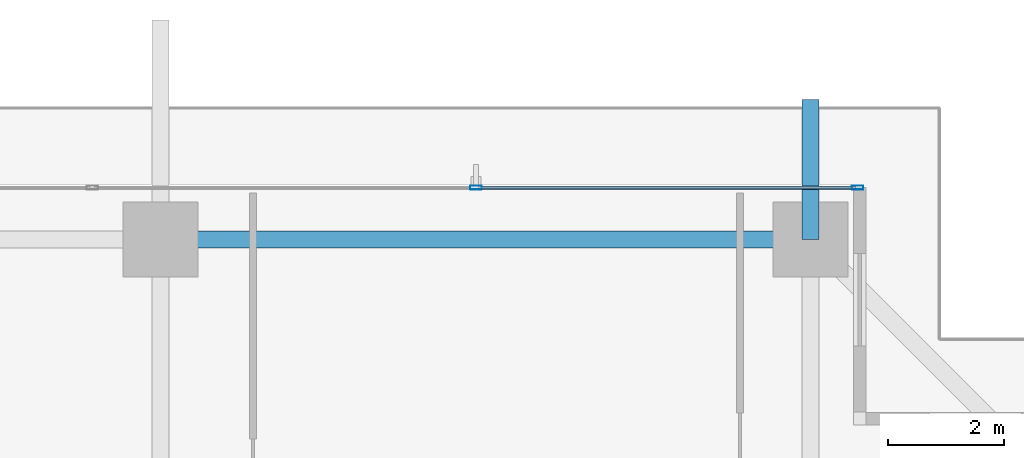
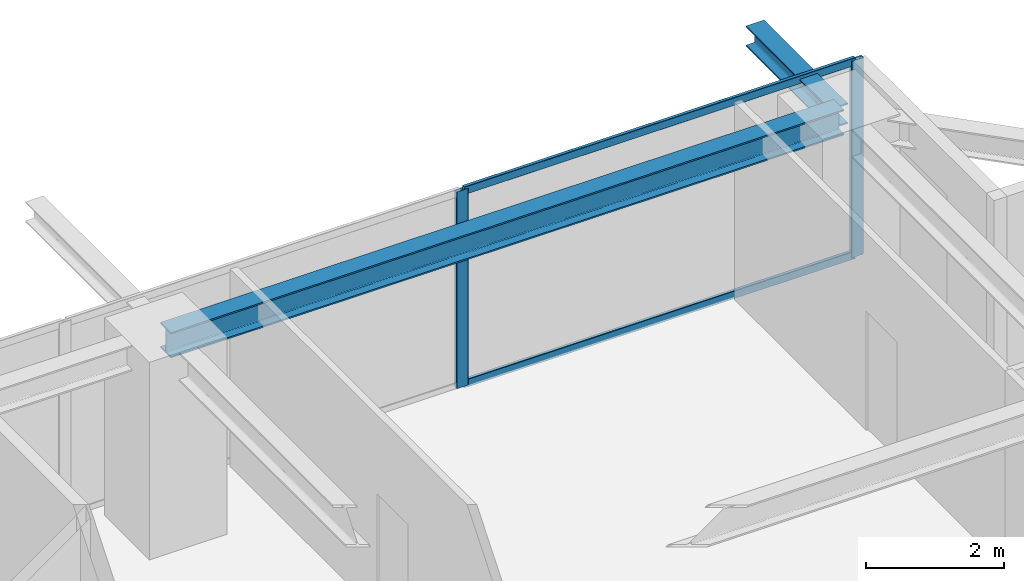
# One storey, part 24 of 36: 4 members, 2 beams, 1 element without a shape of its own.
"""IFC4 building model written with IfcOpenShell, lengths in metres."""

from ifc_helpers import new_model, si_unit, direction, frame, origin, origin_2d, place, context, subcontext, project, spatial, hollow_rectangle, i_section, extrude, source, transform, mapped, material, layer, layer_set, material_profile, profile_set, type_object, element, aggregate, save


model = new_model("IFC4")

# Units and contexts
model_context = context("Model", 3, precision=1e-05, world=origin(), true_north=direction((0.0, 1.0)))
body_context = subcontext(model_context, "Body", "Model", "MODEL_VIEW")
ifc_project = project(units=[si_unit("LENGTHUNIT", "METRE"), si_unit("AREAUNIT", "SQUARE_METRE"), si_unit("VOLUMEUNIT", "CUBIC_METRE"), si_unit("PLANEANGLEUNIT", "RADIAN"), si_unit("MASSUNIT", "GRAM", prefix="KILO")], contexts=[model_context])

# Site, building, storey
site_placement = place(None, origin())
site = spatial("IfcSite", under=ifc_project, at=site_placement, CompositionType="ELEMENT")
building_placement = place(site_placement, origin())
building = spatial("IfcBuilding", under=site, at=building_placement, Name="Serunith Strait Residences", CompositionType="ELEMENT")
storey_placement = place(building_placement, frame((0.0, 0.0, 146.39990234375)))
storey = spatial("IfcBuildingStorey", under=building, at=storey_placement, Name="L36", CompositionType="ELEMENT", Elevation=146.39990234375)

# Beams
ifc_material_1 = material(Name="Steel S355J2", Category="steel")
ifc_material_profile_1 = material_profile(ifc_material_1, i_section(OverallWidth=0.300048828125, OverallDepth=0.449951171875, WebThickness=0.013916015625, FlangeThickness=0.02587890625, FilletRadius=0.027099609375, at=origin_2d()), Name="HEB 450")
ifc_profile_set_1 = profile_set([ifc_material_profile_1], Name="Steel S355J2")
beam_type_1 = type_object("IfcBeamType", Name="BM-HEB450", PredefinedType="BEAM", material=ifc_profile_set_1)
shared_shape_1 = source(origin(), body_context, "Body", "SweptSolid", [
    extrude(i_section(OverallWidth=0.300048828125, OverallDepth=0.449951171875, WebThickness=0.013916015625, FlangeThickness=0.02587890625, FilletRadius=0.027099609375, at=origin_2d()), origin(), (0.0, 0.0, 1.0), 11.25),
])
beam_1_placement = place(storey_placement, frame((48.14990234375, 48.10009765625, 3.26220703125), z_axis=(-1.0, 0.0, 0.0), x_axis=(0.0, -1.0, 0.0)))
element("IfcBeam", 1, at=beam_1_placement, inside=storey, type_object=beam_type_1, Name="L36 Perimeter Ring Beam 09", PredefinedType="BEAM", context=body_context, shape_type="MappedRepresentation", body=[
    mapped(shared_shape_1, transform((0.0, 0.0, 0.0), scale=1.0)),
])
ifc_material_profile_2 = material_profile(ifc_material_1, i_section(OverallWidth=0.300048828125, OverallDepth=0.360107421875, WebThickness=0.012451171875, FlangeThickness=0.0224609375, FilletRadius=0.027099609375, at=origin_2d()), Name="HEB 360")
ifc_profile_set_2 = profile_set([ifc_material_profile_2], Name="Steel S355J2")
beam_type_2 = type_object("IfcBeamType", Name="BM-HEB360", PredefinedType="BEAM", material=ifc_profile_set_2)
shared_shape_2 = source(origin(), body_context, "Body", "SweptSolid", [
    extrude(i_section(OverallWidth=0.300048828125, OverallDepth=0.360107421875, WebThickness=0.012451171875, FlangeThickness=0.0224609375, FilletRadius=0.027099609375, at=origin_2d()), origin(), (0.0, 0.0, 1.0), 2.425537109375),
])
beam_2_placement = place(storey_placement, frame((48.14990234375, 48.10009765625, 3.277099609375), z_axis=(0.0, 1.0, 0.0), x_axis=(-1.0, 0.0, 0.0)))
element("IfcBeam", 2, at=beam_2_placement, inside=storey, type_object=beam_type_2, Name="L37 Cantilevered Balcony Rib TC-N4", PredefinedType="BEAM", context=body_context, shape_type="MappedRepresentation", body=[
    mapped(shared_shape_2, transform((0.0, 0.0, 0.0), scale=1.0)),
])

# Curtain wall, members
ifc_material_2 = material(Name="Pale-Champagne Anodised Aluminium", Category="aluminium")
ifc_layer = layer(ifc_material_2, 0.199951171875, Name="Pale-Champagne Anodised Aluminium")
ifc_layer_set = layer_set([ifc_layer], Name="Pale-Champagne Anodised Aluminium")
curtain_wall_type = type_object("IfcCurtainWallType", Name="CW-SYS2", PredefinedType="NOTDEFINED", material=ifc_layer_set)
curtain_wall_placement = place(storey_placement, origin())
curtain_wall = element("IfcCurtainWall", 3, at=curtain_wall_placement, inside=storey, type_object=curtain_wall_type, Name="L36 N Unitised Fritted Curtain Wall", PredefinedType="NOTDEFINED")
ifc_material_profile_3 = material_profile(ifc_material_2, hollow_rectangle(XDim=0.070068359375, YDim=0.199951171875, WallThickness=0.00390625, InnerFilletRadius=0.006103515625, OuterFilletRadius=0.010009765625, at=origin_2d()), Name="ALU 200x70x4")
ifc_profile_set_3 = profile_set([ifc_material_profile_3], Name="Pale-Champagne Anodised Aluminium")
member_type_1 = type_object("IfcMemberType", Name="CW-SYS2-MULL", PredefinedType="MULLION", material=ifc_profile_set_3)
shared_shape_3 = source(origin(), body_context, "Body", "SweptSolid", [
    extrude(hollow_rectangle(XDim=0.070068359375, YDim=0.199951171875, WallThickness=0.00390625, InnerFilletRadius=0.006103515625, OuterFilletRadius=0.010009765625, at=origin_2d()), origin(), (0.0, 0.0, 1.0), 3.47509765625),
])
member_1_placement = place(storey_placement, frame((48.965087890625, 49.0, 0.0), z_axis=(0.0, 0.0, 1.0), x_axis=(0.0, -1.0, 0.0)))
member_1 = element("IfcMember", 4, at=member_1_placement, type_object=member_type_1, Name="CW-2 mullion 1", PredefinedType="MULLION", context=body_context, shape_type="MappedRepresentation", body=[
    mapped(shared_shape_3, transform((0.0, 0.0, 0.0), scale=1.0)),
])
member_2_placement = place(storey_placement, frame((42.360107421875, 49.0, 0.0), z_axis=(0.0, 0.0, 1.0), x_axis=(0.0, -1.0, 0.0)))
member_2 = element("IfcMember", 5, at=member_2_placement, type_object=member_type_1, Name="CW-2 mullion 2", PredefinedType="MULLION", context=body_context, shape_type="MappedRepresentation", body=[
    mapped(shared_shape_3, transform((0.0, 0.0, 0.0), scale=1.0)),
])
ifc_material_profile_4 = material_profile(ifc_material_2, hollow_rectangle(XDim=0.06005859375, YDim=0.139892578125, WallThickness=0.00341796875, InnerFilletRadius=0.00537109375, OuterFilletRadius=0.0087890625, at=origin_2d()), Name="ALU 140x60x3.5")
ifc_profile_set_4 = profile_set([ifc_material_profile_4], Name="Pale-Champagne Anodised Aluminium")
member_type_2 = type_object("IfcMemberType", Name="CW-SYS2-TRAN", PredefinedType="USERDEFINED", material=ifc_profile_set_4)
shared_shape_4 = source(origin(), body_context, "Body", "SweptSolid", [
    extrude(hollow_rectangle(XDim=0.06005859375, YDim=0.139892578125, WallThickness=0.00341796875, InnerFilletRadius=0.00537109375, OuterFilletRadius=0.0087890625, at=origin_2d()), origin(), (0.0, 0.0, 1.0), 6.534912109375),
])
member_3_placement = place(storey_placement, frame((48.929931640625, 49.0, 0.030029296875), z_axis=(-1.0, 0.0, 0.0), x_axis=(0.0, -1.0, 0.0)))
member_3 = element("IfcMember", 6, at=member_3_placement, type_object=member_type_2, Name="CW-2 transom 1.1", ObjectType="TRANSOM", PredefinedType="USERDEFINED", context=body_context, shape_type="MappedRepresentation", body=[
    mapped(shared_shape_4, transform((0.0, 0.0, 0.0), scale=1.0)),
])
member_4_placement = place(storey_placement, frame((48.929931640625, 49.0, 3.445068359375), z_axis=(-1.0, 0.0, 0.0), x_axis=(0.0, -1.0, 0.0)))
member_4 = element("IfcMember", 7, at=member_4_placement, type_object=member_type_2, Name="CW-2 transom 1.2", ObjectType="TRANSOM", PredefinedType="USERDEFINED", context=body_context, shape_type="MappedRepresentation", body=[
    mapped(shared_shape_4, transform((0.0, 0.0, 0.0), scale=1.0)),
])
aggregate(curtain_wall, [member_1, member_2, member_3, member_4])

save(model, "model.ifc")
